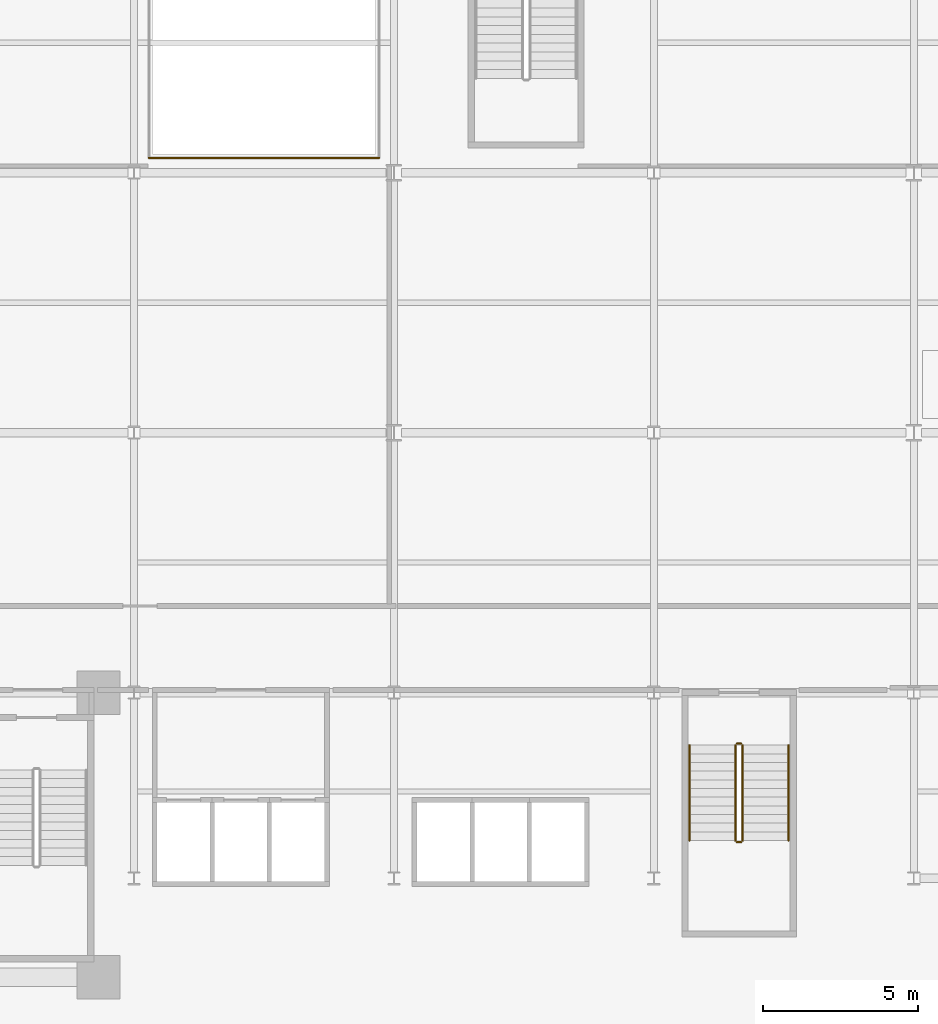
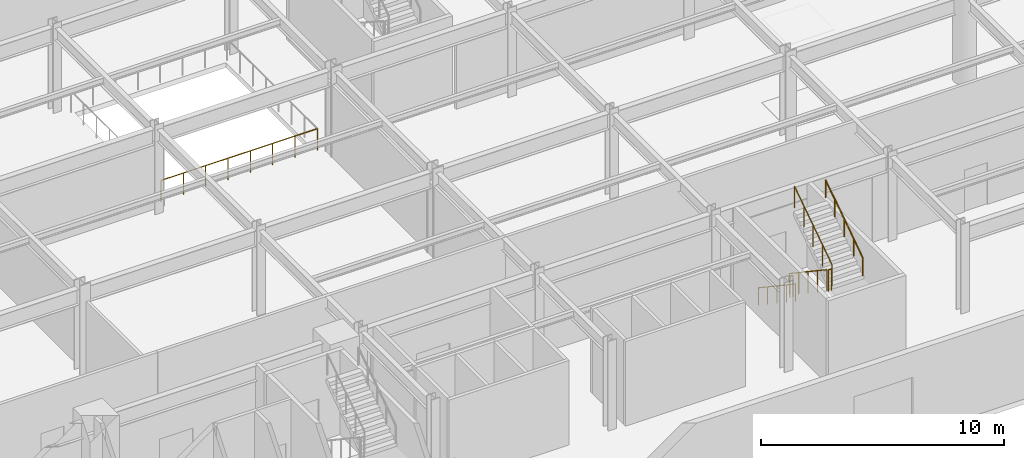
# One storey, part 21 of 26: 7 railings.
"""IFC4 building model written with IfcOpenShell, lengths in metres."""

from ifc_helpers import new_model, si_unit, direction, frame, origin, origin_2d, place, context, subcontext, project, spatial, circle, extrude, material, type_object, element, save


model = new_model("IFC4")

# Units and contexts
model_context = context("Model", 3, precision=1e-05, world=origin(), true_north=direction((0.0, 1.0)))
body_context = subcontext(model_context, "Body", "Model", "MODEL_VIEW")
ifc_project = project(units=[si_unit("LENGTHUNIT", "METRE"), si_unit("AREAUNIT", "SQUARE_METRE"), si_unit("VOLUMEUNIT", "CUBIC_METRE"), si_unit("PLANEANGLEUNIT", "RADIAN"), si_unit("MASSUNIT", "GRAM", prefix="KILO")], contexts=[model_context])

# Site, building, storey
site_placement = place(None, origin())
site = spatial("IfcSite", under=ifc_project, at=site_placement, CompositionType="ELEMENT")
building_placement = place(site_placement, origin())
building = spatial("IfcBuilding", under=site, at=building_placement, Name="Varnakote Quay Hospital", CompositionType="ELEMENT")
storey_placement = place(building_placement, frame((0.0, 0.0, 4.5)))
storey = spatial("IfcBuildingStorey", under=building, at=storey_placement, Name="L01", CompositionType="ELEMENT", Elevation=4.5)

# Railings
ifc_material_1 = material(Name="Brushed stainless steel balustrade", Category="steel")
railing_type_1 = type_object("IfcRailingType", Name="RLG-STAIR-GUARD-1150", PredefinedType="GUARDRAIL", material=ifc_material_1)
railing_1_placement = place(storey_placement, frame((44.6298828125, 10.300048828125, 0.1875)))
element("IfcRailing", 1, at=railing_1_placement, inside=storey, type_object=railing_type_1, Name="L01 ST-03 stair guard 1", PredefinedType="GUARDRAIL", context=body_context, shape_type="SweptSolid", body=[
    extrude(circle(Radius=0.02392578125, at=origin_2d()), frame((0.0, 0.0, 1.076171875), z_axis=(0.0, -0.830913701846, 0.55640131208), x_axis=(1.0, 0.0, 0.0)), (0.0, 0.0, 1.0), 3.706787109375),
    extrude(circle(Radius=0.02099609375, at=origin_2d()), origin(), (0.0, 0.0, 1.0), 1.052001953125),
    extrude(circle(Radius=0.02099609375, at=origin_2d()), frame((0.0, -0.77001953125, 0.515625)), (0.0, 0.0, 1.0), 1.052001953125),
    extrude(circle(Radius=0.02099609375, at=origin_2d()), frame((0.0, -1.5400390625, 1.03125)), (0.0, 0.0, 1.0), 1.052001953125),
    extrude(circle(Radius=0.02099609375, at=origin_2d()), frame((0.0, -2.31005859375, 1.546875)), (0.0, 0.0, 1.0), 1.052001953125),
    extrude(circle(Radius=0.02099609375, at=origin_2d()), frame((0.0, -3.080078125, 2.0625)), (0.0, 0.0, 1.0), 1.052001953125),
])
railing_2_placement = place(storey_placement, frame((44.679931640625, 7.169921875, 2.25)))
element("IfcRailing", 2, at=railing_2_placement, inside=storey, type_object=railing_type_1, Name="L01 ST-03 stair guard 2", PredefinedType="GUARDRAIL", context=body_context, shape_type="SweptSolid", body=[
    extrude(circle(Radius=0.02392578125, at=origin_2d()), frame((0.0, 0.0, 1.076171875), z_axis=(1.0, 0.0, 0.0), x_axis=(0.0, 1.0, 0.0)), (0.0, 0.0, 1.0), 0.14013671875),
    extrude(circle(Radius=0.02099609375, at=origin_2d()), origin(), (0.0, 0.0, 1.0), 1.052001953125),
    extrude(circle(Radius=0.02099609375, at=origin_2d()), frame((0.14013671875, 0.0, 0.0)), (0.0, 0.0, 1.0), 1.052001953125),
])
railing_3_placement = place(storey_placement, frame((44.8701171875, 7.219970703125, 2.4375)))
element("IfcRailing", 3, at=railing_3_placement, inside=storey, type_object=railing_type_1, Name="L01 ST-03 stair guard 3", PredefinedType="GUARDRAIL", context=body_context, shape_type="SweptSolid", body=[
    extrude(circle(Radius=0.02392578125, at=origin_2d()), frame((0.0, 0.0, 1.076171875), z_axis=(0.0, 0.830913701846, 0.55640131208), x_axis=(-1.0, 0.0, 0.0)), (0.0, 0.0, 1.0), 3.706787109375),
    extrude(circle(Radius=0.02099609375, at=origin_2d()), origin(), (0.0, 0.0, 1.0), 1.052001953125),
    extrude(circle(Radius=0.02099609375, at=origin_2d()), frame((0.0, 0.77001953125, 0.515625)), (0.0, 0.0, 1.0), 1.052001953125),
    extrude(circle(Radius=0.02099609375, at=origin_2d()), frame((0.0, 1.5400390625, 1.03125)), (0.0, 0.0, 1.0), 1.052001953125),
    extrude(circle(Radius=0.02099609375, at=origin_2d()), frame((0.0, 2.31005859375, 1.546875)), (0.0, 0.0, 1.0), 1.052001953125),
    extrude(circle(Radius=0.02099609375, at=origin_2d()), frame((0.0, 3.080078125, 2.0625)), (0.0, 0.0, 1.0), 1.052001953125),
])
railing_4_placement = place(storey_placement, frame((44.679931640625, 10.35009765625, 0.0)))
element("IfcRailing", 4, at=railing_4_placement, inside=storey, type_object=railing_type_1, Name="L01 ST-03 stair guard 4", PredefinedType="GUARDRAIL", context=body_context, shape_type="SweptSolid", body=[
    extrude(circle(Radius=0.02392578125, at=origin_2d()), frame((0.0, 0.0, 1.076171875), z_axis=(1.0, 0.0, 0.0), x_axis=(0.0, 1.0, 0.0)), (0.0, 0.0, 1.0), 0.14013671875),
    extrude(circle(Radius=0.02099609375, at=origin_2d()), origin(), (0.0, 0.0, 1.0), 1.052001953125),
    extrude(circle(Radius=0.02099609375, at=origin_2d()), frame((0.14013671875, 0.0, 0.0)), (0.0, 0.0, 1.0), 1.052001953125),
])
railing_5_placement = place(storey_placement, frame((25.679931640625, 29.280029296875, 0.0)))
element("IfcRailing", 5, at=railing_5_placement, inside=storey, type_object=railing_type_1, Name="L01 Concourse Atrium Void Safety Balustrade", PredefinedType="GUARDRAIL", context=body_context, shape_type="SweptSolid", body=[
    extrude(circle(Radius=0.02392578125, at=origin_2d()), frame((0.0, 0.0, 1.076171875), z_axis=(1.0, 0.0, 0.0), x_axis=(0.0, 1.0, 0.0)), (0.0, 0.0, 1.0), 7.440185546875),
    extrude(circle(Radius=0.02099609375, at=origin_2d()), origin(), (0.0, 0.0, 1.0), 1.052001953125),
    extrude(circle(Radius=0.02099609375, at=origin_2d()), frame((1.06298828125, 0.0, 0.0)), (0.0, 0.0, 1.0), 1.052001953125),
    extrude(circle(Radius=0.02099609375, at=origin_2d()), frame((2.125732421875, 0.0, 0.0)), (0.0, 0.0, 1.0), 1.052001953125),
    extrude(circle(Radius=0.02099609375, at=origin_2d()), frame((3.188720703125, 0.0, 0.0)), (0.0, 0.0, 1.0), 1.052001953125),
    extrude(circle(Radius=0.02099609375, at=origin_2d()), frame((4.25146484375, 0.0, 0.0)), (0.0, 0.0, 1.0), 1.052001953125),
    extrude(circle(Radius=0.02099609375, at=origin_2d()), frame((5.314453125, 0.0, 0.0)), (0.0, 0.0, 1.0), 1.052001953125),
    extrude(circle(Radius=0.02099609375, at=origin_2d()), frame((6.377197265625, 0.0, 0.0)), (0.0, 0.0, 1.0), 1.052001953125),
    extrude(circle(Radius=0.02099609375, at=origin_2d()), frame((7.440185546875, 0.0, 0.0)), (0.0, 0.0, 1.0), 1.052001953125),
])
ifc_material_2 = material(Name="Brushed stainless steel handrail", Category="steel")
railing_type_2 = type_object("IfcRailingType", Name="RLG-STAIR-HND-920", PredefinedType="HANDRAIL", material=ifc_material_2)
railing_6_placement = place(storey_placement, frame((43.14990234375, 10.300048828125, 0.1875)))
element("IfcRailing", 6, at=railing_6_placement, inside=storey, type_object=railing_type_2, Name="L01 ST-03 stair handrail 1", PredefinedType="HANDRAIL", context=body_context, shape_type="SweptSolid", body=[
    extrude(circle(Radius=0.02392578125, at=origin_2d()), frame((0.0, 0.0, 0.8759765625), z_axis=(0.0, -0.830913701846, 0.55640131208), x_axis=(1.0, 0.0, 0.0)), (0.0, 0.0, 1.0), 3.706787109375),
    extrude(circle(Radius=0.02099609375, at=origin_2d()), origin(), (0.0, 0.0, 1.0), 0.851806640625),
    extrude(circle(Radius=0.02099609375, at=origin_2d()), frame((0.0, -0.77001953125, 0.515625)), (0.0, 0.0, 1.0), 0.851806640625),
    extrude(circle(Radius=0.02099609375, at=origin_2d()), frame((0.0, -1.5400390625, 1.03125)), (0.0, 0.0, 1.0), 0.851806640625),
    extrude(circle(Radius=0.02099609375, at=origin_2d()), frame((0.0, -2.31005859375, 1.546875)), (0.0, 0.0, 1.0), 0.851806640625),
    extrude(circle(Radius=0.02099609375, at=origin_2d()), frame((0.0, -3.080078125, 2.0625)), (0.0, 0.0, 1.0), 0.851806640625),
])
railing_7_placement = place(storey_placement, frame((46.35009765625, 7.219970703125, 2.4375)))
element("IfcRailing", 7, at=railing_7_placement, inside=storey, type_object=railing_type_2, Name="L01 ST-03 stair handrail 2", PredefinedType="HANDRAIL", context=body_context, shape_type="SweptSolid", body=[
    extrude(circle(Radius=0.02392578125, at=origin_2d()), frame((0.0, 0.0, 0.8759765625), z_axis=(0.0, 0.830913701846, 0.55640131208), x_axis=(-1.0, 0.0, 0.0)), (0.0, 0.0, 1.0), 3.706787109375),
    extrude(circle(Radius=0.02099609375, at=origin_2d()), origin(), (0.0, 0.0, 1.0), 0.851806640625),
    extrude(circle(Radius=0.02099609375, at=origin_2d()), frame((0.0, 0.77001953125, 0.515625)), (0.0, 0.0, 1.0), 0.851806640625),
    extrude(circle(Radius=0.02099609375, at=origin_2d()), frame((0.0, 1.5400390625, 1.03125)), (0.0, 0.0, 1.0), 0.851806640625),
    extrude(circle(Radius=0.02099609375, at=origin_2d()), frame((0.0, 2.31005859375, 1.546875)), (0.0, 0.0, 1.0), 0.851806640625),
    extrude(circle(Radius=0.02099609375, at=origin_2d()), frame((0.0, 3.080078125, 2.0625)), (0.0, 0.0, 1.0), 0.851806640625),
])

save(model, "model.ifc")
